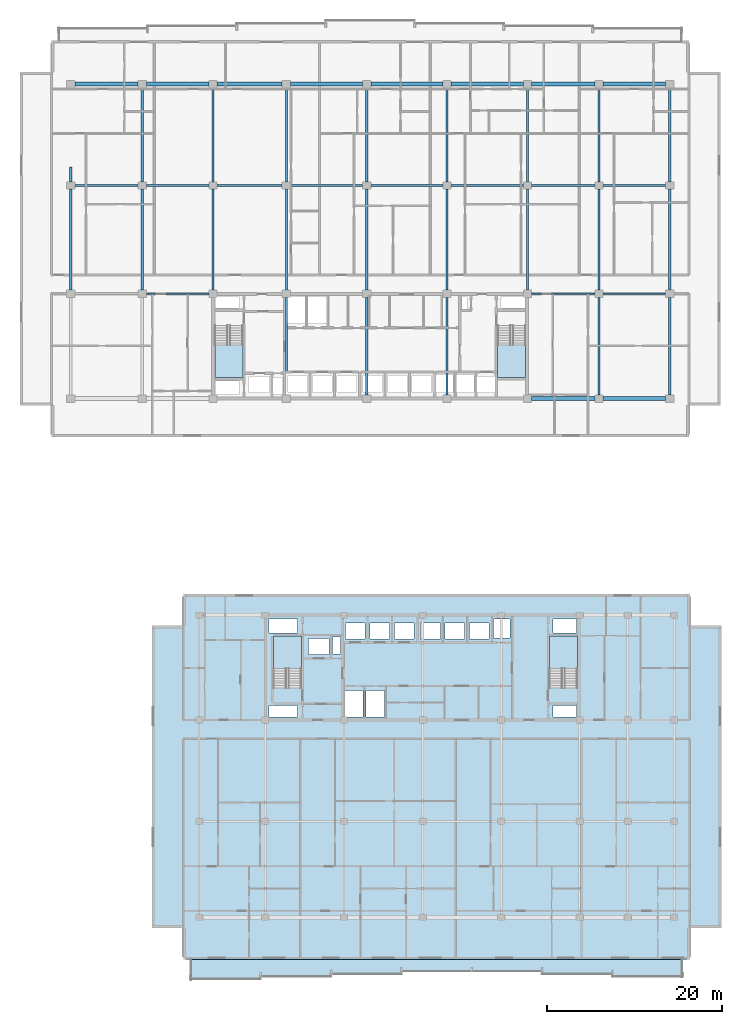
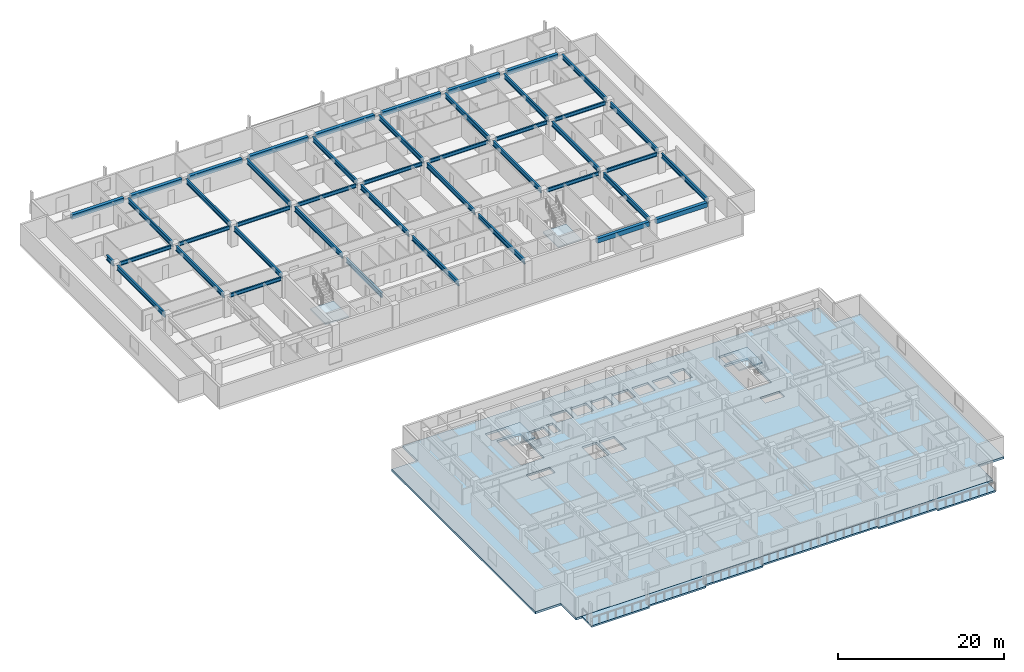
# One storey, part 2 of 22: 44 beams, 6 slabs, 4 elements without a shape of their own.
"""IFC4 building model written with IfcOpenShell, lengths in metres."""

from ifc_helpers import new_model, si_unit, direction, frame, origin, origin_2d, place, context, subcontext, project, spatial, polyline, rectangle, i_section, outline, extrude, material, layer, layer_set, material_profile, profile_set, type_object, element, aggregate, save


model = new_model("IFC4")

# Units and contexts
model_context = context("Model", 3, precision=1e-05, world=origin(), true_north=direction((0.0, 1.0)))
body_context = subcontext(model_context, "Body", "Model", "MODEL_VIEW")
ifc_project = project(units=[si_unit("LENGTHUNIT", "METRE"), si_unit("AREAUNIT", "SQUARE_METRE"), si_unit("VOLUMEUNIT", "CUBIC_METRE"), si_unit("PLANEANGLEUNIT", "RADIAN"), si_unit("MASSUNIT", "GRAM", prefix="KILO")], contexts=[model_context])

# Site, building, storey
site_placement = place(None, origin())
site = spatial("IfcSite", under=ifc_project, at=site_placement, CompositionType="ELEMENT")
building_placement = place(site_placement, origin())
building = spatial("IfcBuilding", under=site, at=building_placement, Name="Korimba Cascade Residences", CompositionType="ELEMENT")
storey_placement = place(building_placement, frame((0.0, 0.0, 80.800048828125)))
storey = spatial("IfcBuildingStorey", under=building, at=storey_placement, Name="L22", CompositionType="ELEMENT", Elevation=80.800048828125)

# Beams
ifc_material_1 = material(Name="Precast concrete C40/50", Category="concrete")
ifc_material_profile_1 = material_profile(ifc_material_1, rectangle(XDim=0.449951171875, YDim=0.64990234375, at=origin_2d()), Name="Precast concrete C40/50")
ifc_profile_set_1 = profile_set([ifc_material_profile_1], Name="Precast concrete C40/50")
beam_type_1 = type_object("IfcBeamType", Name="BM-RC-SP650", PredefinedType="SPANDREL", material=ifc_profile_set_1)
beam_1_placement = place(storey_placement, frame((112.574951171875, 55.199951171875, 2.64501953125), z_axis=(1.0, 0.0, 0.0), x_axis=(0.0, 1.0, 0.0)))
element("IfcBeam", 1, at=beam_1_placement, inside=storey, type_object=beam_type_1, Name="L22 T1 E-W Girder Y1 Bay 7", PredefinedType="SPANDREL", context=body_context, shape_type="SweptSolid", body=[
    extrude(rectangle(XDim=0.449951171875, YDim=0.64990234375, at=origin_2d()), origin(), (0.0, 0.0, 1.0), 7.25),
])
beam_2_placement = place(storey_placement, frame((120.77490234375, 55.199951171875, 2.64501953125), z_axis=(1.0, 0.0, 0.0), x_axis=(0.0, 1.0, 0.0)))
element("IfcBeam", 2, at=beam_2_placement, inside=storey, type_object=beam_type_1, Name="L22 T1 E-W Girder Y1 Bay 8", PredefinedType="SPANDREL", context=body_context, shape_type="SweptSolid", body=[
    extrude(rectangle(XDim=0.449951171875, YDim=0.64990234375, at=origin_2d()), origin(), (0.0, 0.0, 1.0), 7.150146484375),
])
beam_3_placement = place(storey_placement, frame((60.27490234375, 91.199951171875, 2.64501953125), z_axis=(1.0, 0.0, 0.0), x_axis=(0.0, 1.0, 0.0)))
element("IfcBeam", 3, at=beam_3_placement, inside=storey, type_object=beam_type_1, Name="L22 T1 E-W Girder Y4 Bay 1", PredefinedType="SPANDREL", context=body_context, shape_type="SweptSolid", body=[
    extrude(rectangle(XDim=0.449951171875, YDim=0.64990234375, at=origin_2d()), origin(), (0.0, 0.0, 1.0), 7.25),
])
beam_4_placement = place(storey_placement, frame((68.47509765625, 91.199951171875, 2.64501953125), z_axis=(1.0, 0.0, 0.0), x_axis=(0.0, 1.0, 0.0)))
element("IfcBeam", 4, at=beam_4_placement, inside=storey, type_object=beam_type_1, Name="L22 T1 E-W Girder Y4 Bay 2", PredefinedType="SPANDREL", context=body_context, shape_type="SweptSolid", body=[
    extrude(rectangle(XDim=0.449951171875, YDim=0.64990234375, at=origin_2d()), origin(), (0.0, 0.0, 1.0), 7.14990234375),
])
beam_5_placement = place(storey_placement, frame((76.574951171875, 91.199951171875, 2.64501953125), z_axis=(1.0, 0.0, 0.0), x_axis=(0.0, 1.0, 0.0)))
element("IfcBeam", 5, at=beam_5_placement, inside=storey, type_object=beam_type_1, Name="L22 T1 E-W Girder Y4 Bay 3", PredefinedType="SPANDREL", context=body_context, shape_type="SweptSolid", body=[
    extrude(rectangle(XDim=0.449951171875, YDim=0.64990234375, at=origin_2d()), origin(), (0.0, 0.0, 1.0), 7.449951171875),
])
for number, where, z_axis, x_axis, name in (
    (6, (84.97509765625, 91.199951171875, 2.64501953125), (1.0, 0.0, 0.0), (0.0, 1.0, 0.0), "L22 T1 E-W Girder Y4 Bay 4"),
    (7, (94.175048828125, 91.199951171875, 2.64501953125), (1.0, 0.0, 0.0), (0.0, 1.0, 0.0), "L22 T1 E-W Girder Y4 Bay 5"),
    (8, (103.375, 91.199951171875, 2.64501953125), (1.0, 0.0, 0.0), (0.0, 1.0, 0.0), "L22 T1 E-W Girder Y4 Bay 6"),
):
    element("IfcBeam", number, at=place(storey_placement, frame(where, z_axis=z_axis, x_axis=x_axis)), inside=storey, type_object=beam_type_1, Name=name, PredefinedType="SPANDREL", context=body_context, shape_type="SweptSolid", body=[
        extrude(rectangle(XDim=0.449951171875, YDim=0.64990234375, at=origin_2d()), origin(), (0.0, 0.0, 1.0), 8.25),
    ])
beam_6_placement = place(storey_placement, frame((112.574951171875, 91.199951171875, 2.64501953125), z_axis=(1.0, 0.0, 0.0), x_axis=(0.0, 1.0, 0.0)))
element("IfcBeam", 9, at=beam_6_placement, inside=storey, type_object=beam_type_1, Name="L22 T1 E-W Girder Y4 Bay 7", PredefinedType="SPANDREL", context=body_context, shape_type="SweptSolid", body=[
    extrude(rectangle(XDim=0.449951171875, YDim=0.64990234375, at=origin_2d()), origin(), (0.0, 0.0, 1.0), 7.25),
])
beam_7_placement = place(storey_placement, frame((120.77490234375, 91.199951171875, 2.64501953125), z_axis=(1.0, 0.0, 0.0), x_axis=(0.0, 1.0, 0.0)))
element("IfcBeam", 10, at=beam_7_placement, inside=storey, type_object=beam_type_1, Name="L22 T1 E-W Girder Y4 Bay 8", PredefinedType="SPANDREL", context=body_context, shape_type="SweptSolid", body=[
    extrude(rectangle(XDim=0.449951171875, YDim=0.64990234375, at=origin_2d()), origin(), (0.0, 0.0, 1.0), 7.150146484375),
])
ifc_material_2 = material(Name="Steel S355", Category="steel")
ifc_material_profile_2 = material_profile(ifc_material_2, i_section(OverallWidth=0.2099609375, OverallDepth=0.53662109375, WebThickness=0.0107421875, FlangeThickness=0.017333984375, FilletRadius=0.0126953125, at=origin_2d()), Name="Steel S355")
ifc_profile_set_2 = profile_set([ifc_material_profile_2], Name="Steel S355")
beam_type_2 = type_object("IfcBeamType", Name="BM-STL-UB533", PredefinedType="BEAM", material=ifc_profile_set_2)
beam_8_placement = place(storey_placement, frame((68.47509765625, 67.199951171875, 2.70166015625), z_axis=(1.0, 0.0, 0.0), x_axis=(0.0, 1.0, 0.0)))
element("IfcBeam", 11, at=beam_8_placement, inside=storey, type_object=beam_type_2, Name="L22 T1 E-W Girder Y2 Bay 2", PredefinedType="BEAM", context=body_context, shape_type="SweptSolid", body=[
    extrude(i_section(OverallWidth=0.2099609375, OverallDepth=0.53662109375, WebThickness=0.0107421875, FlangeThickness=0.017333984375, FilletRadius=0.0126953125, at=origin_2d()), origin(), (0.0, 0.0, 1.0), 7.14990234375),
])
beam_9_placement = place(storey_placement, frame((112.574951171875, 67.199951171875, 2.70166015625), z_axis=(1.0, 0.0, 0.0), x_axis=(0.0, 1.0, 0.0)))
element("IfcBeam", 12, at=beam_9_placement, inside=storey, type_object=beam_type_2, Name="L22 T1 E-W Girder Y2 Bay 7", PredefinedType="BEAM", context=body_context, shape_type="SweptSolid", body=[
    extrude(i_section(OverallWidth=0.2099609375, OverallDepth=0.53662109375, WebThickness=0.0107421875, FlangeThickness=0.017333984375, FilletRadius=0.0126953125, at=origin_2d()), origin(), (0.0, 0.0, 1.0), 7.25),
])
beam_10_placement = place(storey_placement, frame((120.77490234375, 67.199951171875, 2.70166015625), z_axis=(1.0, 0.0, 0.0), x_axis=(0.0, 1.0, 0.0)))
element("IfcBeam", 13, at=beam_10_placement, inside=storey, type_object=beam_type_2, Name="L22 T1 E-W Girder Y2 Bay 8", PredefinedType="BEAM", context=body_context, shape_type="SweptSolid", body=[
    extrude(i_section(OverallWidth=0.2099609375, OverallDepth=0.53662109375, WebThickness=0.0107421875, FlangeThickness=0.017333984375, FilletRadius=0.0126953125, at=origin_2d()), origin(), (0.0, 0.0, 1.0), 7.150146484375),
])
beam_11_placement = place(storey_placement, frame((60.27490234375, 79.60009765625, 2.70166015625), z_axis=(1.0, 0.0, 0.0), x_axis=(0.0, 1.0, 0.0)))
element("IfcBeam", 14, at=beam_11_placement, inside=storey, type_object=beam_type_2, Name="L22 T1 E-W Girder Y3 Bay 1", PredefinedType="BEAM", context=body_context, shape_type="SweptSolid", body=[
    extrude(i_section(OverallWidth=0.2099609375, OverallDepth=0.53662109375, WebThickness=0.0107421875, FlangeThickness=0.017333984375, FilletRadius=0.0126953125, at=origin_2d()), origin(), (0.0, 0.0, 1.0), 7.25),
])
beam_12_placement = place(storey_placement, frame((68.47509765625, 79.60009765625, 2.70166015625), z_axis=(1.0, 0.0, 0.0), x_axis=(0.0, 1.0, 0.0)))
element("IfcBeam", 15, at=beam_12_placement, inside=storey, type_object=beam_type_2, Name="L22 T1 E-W Girder Y3 Bay 2", PredefinedType="BEAM", context=body_context, shape_type="SweptSolid", body=[
    extrude(i_section(OverallWidth=0.2099609375, OverallDepth=0.53662109375, WebThickness=0.0107421875, FlangeThickness=0.017333984375, FilletRadius=0.0126953125, at=origin_2d()), origin(), (0.0, 0.0, 1.0), 7.14990234375),
])
beam_13_placement = place(storey_placement, frame((76.574951171875, 79.60009765625, 2.70166015625), z_axis=(1.0, 0.0, 0.0), x_axis=(0.0, 1.0, 0.0)))
element("IfcBeam", 16, at=beam_13_placement, inside=storey, type_object=beam_type_2, Name="L22 T1 E-W Girder Y3 Bay 3", PredefinedType="BEAM", context=body_context, shape_type="SweptSolid", body=[
    extrude(i_section(OverallWidth=0.2099609375, OverallDepth=0.53662109375, WebThickness=0.0107421875, FlangeThickness=0.017333984375, FilletRadius=0.0126953125, at=origin_2d()), origin(), (0.0, 0.0, 1.0), 7.449951171875),
])
for number, where, z_axis, x_axis, name in (
    (17, (84.97509765625, 79.60009765625, 2.70166015625), (1.0, 0.0, 0.0), (0.0, 1.0, 0.0), "L22 T1 E-W Girder Y3 Bay 4"),
    (18, (94.175048828125, 79.60009765625, 2.70166015625), (1.0, 0.0, 0.0), (0.0, 1.0, 0.0), "L22 T1 E-W Girder Y3 Bay 5"),
    (19, (103.375, 79.60009765625, 2.70166015625), (1.0, 0.0, 0.0), (0.0, 1.0, 0.0), "L22 T1 E-W Girder Y3 Bay 6"),
):
    element("IfcBeam", number, at=place(storey_placement, frame(where, z_axis=z_axis, x_axis=x_axis)), inside=storey, type_object=beam_type_2, Name=name, PredefinedType="BEAM", context=body_context, shape_type="SweptSolid", body=[
        extrude(i_section(OverallWidth=0.2099609375, OverallDepth=0.53662109375, WebThickness=0.0107421875, FlangeThickness=0.017333984375, FilletRadius=0.0126953125, at=origin_2d()), origin(), (0.0, 0.0, 1.0), 8.25),
    ])
beam_14_placement = place(storey_placement, frame((112.574951171875, 79.60009765625, 2.70166015625), z_axis=(1.0, 0.0, 0.0), x_axis=(0.0, 1.0, 0.0)))
element("IfcBeam", 20, at=beam_14_placement, inside=storey, type_object=beam_type_2, Name="L22 T1 E-W Girder Y3 Bay 7", PredefinedType="BEAM", context=body_context, shape_type="SweptSolid", body=[
    extrude(i_section(OverallWidth=0.2099609375, OverallDepth=0.53662109375, WebThickness=0.0107421875, FlangeThickness=0.017333984375, FilletRadius=0.0126953125, at=origin_2d()), origin(), (0.0, 0.0, 1.0), 7.25),
])
beam_15_placement = place(storey_placement, frame((120.77490234375, 79.60009765625, 2.70166015625), z_axis=(1.0, 0.0, 0.0), x_axis=(0.0, 1.0, 0.0)))
element("IfcBeam", 21, at=beam_15_placement, inside=storey, type_object=beam_type_2, Name="L22 T1 E-W Girder Y3 Bay 8", PredefinedType="BEAM", context=body_context, shape_type="SweptSolid", body=[
    extrude(i_section(OverallWidth=0.2099609375, OverallDepth=0.53662109375, WebThickness=0.0107421875, FlangeThickness=0.017333984375, FilletRadius=0.0126953125, at=origin_2d()), origin(), (0.0, 0.0, 1.0), 7.150146484375),
])
ifc_material_profile_3 = material_profile(ifc_material_2, i_section(OverallWidth=0.255859375, OverallDepth=0.69287109375, WebThickness=0.014404296875, FlangeThickness=0.023681640625, FilletRadius=0.01513671875, at=origin_2d()), Name="Steel S355")
ifc_profile_set_3 = profile_set([ifc_material_profile_3], Name="Steel S355")
beam_type_3 = type_object("IfcBeamType", Name="BM-STL-UB686", PredefinedType="BEAM", material=ifc_profile_set_3)
beam_16_placement = place(storey_placement, frame((59.800048828125, 67.625, 2.62353515625), z_axis=(0.0, 1.0, 0.0), x_axis=(-1.0, 0.0, 0.0)))
element("IfcBeam", 22, at=beam_16_placement, inside=storey, type_object=beam_type_3, Name="L22 T1 N-S Girder X1 Seg 2", PredefinedType="BEAM", context=body_context, shape_type="SweptSolid", body=[
    extrude(i_section(OverallWidth=0.255859375, OverallDepth=0.69287109375, WebThickness=0.014404296875, FlangeThickness=0.023681640625, FilletRadius=0.01513671875, at=origin_2d()), origin(), (0.0, 0.0, 1.0), 11.550048828125),
])
beam_17_placement = place(storey_placement, frame((59.800048828125, 80.02490234375, 2.62353515625), z_axis=(0.0, 1.0, 0.0), x_axis=(-1.0, 0.0, 0.0)))
element("IfcBeam", 23, at=beam_17_placement, inside=storey, type_object=beam_type_3, Name="L22 T1 N-S Girder X1 Seg 3", PredefinedType="BEAM", context=body_context, shape_type="SweptSolid", body=[
    extrude(i_section(OverallWidth=0.255859375, OverallDepth=0.69287109375, WebThickness=0.014404296875, FlangeThickness=0.023681640625, FilletRadius=0.01513671875, at=origin_2d()), origin(), (0.0, 0.0, 1.0), 1.675048828125),
])
beam_18_placement = place(storey_placement, frame((68.0, 67.625, 2.62353515625), z_axis=(0.0, 1.0, 0.0), x_axis=(-1.0, 0.0, 0.0)))
element("IfcBeam", 24, at=beam_18_placement, inside=storey, type_object=beam_type_3, Name="L22 T1 N-S Girder X2 Seg 2", PredefinedType="BEAM", context=body_context, shape_type="SweptSolid", body=[
    extrude(i_section(OverallWidth=0.255859375, OverallDepth=0.69287109375, WebThickness=0.014404296875, FlangeThickness=0.023681640625, FilletRadius=0.01513671875, at=origin_2d()), origin(), (0.0, 0.0, 1.0), 11.550048828125),
])
beam_19_placement = place(storey_placement, frame((68.0, 80.02490234375, 2.62353515625), z_axis=(0.0, 1.0, 0.0), x_axis=(-1.0, 0.0, 0.0)))
element("IfcBeam", 25, at=beam_19_placement, inside=storey, type_object=beam_type_3, Name="L22 T1 N-S Girder X2 Seg 3", PredefinedType="BEAM", context=body_context, shape_type="SweptSolid", body=[
    extrude(i_section(OverallWidth=0.255859375, OverallDepth=0.69287109375, WebThickness=0.014404296875, FlangeThickness=0.023681640625, FilletRadius=0.01513671875, at=origin_2d()), origin(), (0.0, 0.0, 1.0), 10.75),
])
beam_20_placement = place(storey_placement, frame((76.10009765625, 67.625, 2.62353515625), z_axis=(0.0, 1.0, 0.0), x_axis=(-1.0, 0.0, 0.0)))
element("IfcBeam", 26, at=beam_20_placement, inside=storey, type_object=beam_type_3, Name="L22 T1 N-S Girder X3 Seg 2", PredefinedType="BEAM", context=body_context, shape_type="SweptSolid", body=[
    extrude(i_section(OverallWidth=0.255859375, OverallDepth=0.69287109375, WebThickness=0.014404296875, FlangeThickness=0.023681640625, FilletRadius=0.01513671875, at=origin_2d()), origin(), (0.0, 0.0, 1.0), 11.550048828125),
])
beam_21_placement = place(storey_placement, frame((76.10009765625, 80.02490234375, 2.62353515625), z_axis=(0.0, 1.0, 0.0), x_axis=(-1.0, 0.0, 0.0)))
element("IfcBeam", 27, at=beam_21_placement, inside=storey, type_object=beam_type_3, Name="L22 T1 N-S Girder X3 Seg 3", PredefinedType="BEAM", context=body_context, shape_type="SweptSolid", body=[
    extrude(i_section(OverallWidth=0.255859375, OverallDepth=0.69287109375, WebThickness=0.014404296875, FlangeThickness=0.023681640625, FilletRadius=0.01513671875, at=origin_2d()), origin(), (0.0, 0.0, 1.0), 10.75),
])
beam_22_placement = place(storey_placement, frame((84.5, 58.159912109375, 2.62353515625), z_axis=(0.0, 1.0, 0.0), x_axis=(-1.0, 0.0, 0.0)))
element("IfcBeam", 28, at=beam_22_placement, inside=storey, type_object=beam_type_3, Name="L22 T1 N-S Girder X4 Seg 1", PredefinedType="BEAM", context=body_context, shape_type="SweptSolid", body=[
    extrude(i_section(OverallWidth=0.255859375, OverallDepth=0.69287109375, WebThickness=0.014404296875, FlangeThickness=0.023681640625, FilletRadius=0.01513671875, at=origin_2d()), origin(), (0.0, 0.0, 1.0), 8.614990234375),
])
beam_23_placement = place(storey_placement, frame((84.5, 67.625, 2.62353515625), z_axis=(0.0, 1.0, 0.0), x_axis=(-1.0, 0.0, 0.0)))
element("IfcBeam", 29, at=beam_23_placement, inside=storey, type_object=beam_type_3, Name="L22 T1 N-S Girder X4 Seg 2", PredefinedType="BEAM", context=body_context, shape_type="SweptSolid", body=[
    extrude(i_section(OverallWidth=0.255859375, OverallDepth=0.69287109375, WebThickness=0.014404296875, FlangeThickness=0.023681640625, FilletRadius=0.01513671875, at=origin_2d()), origin(), (0.0, 0.0, 1.0), 11.550048828125),
])
beam_24_placement = place(storey_placement, frame((84.5, 80.02490234375, 2.62353515625), z_axis=(0.0, 1.0, 0.0), x_axis=(-1.0, 0.0, 0.0)))
element("IfcBeam", 30, at=beam_24_placement, inside=storey, type_object=beam_type_3, Name="L22 T1 N-S Girder X4 Seg 3", PredefinedType="BEAM", context=body_context, shape_type="SweptSolid", body=[
    extrude(i_section(OverallWidth=0.255859375, OverallDepth=0.69287109375, WebThickness=0.014404296875, FlangeThickness=0.023681640625, FilletRadius=0.01513671875, at=origin_2d()), origin(), (0.0, 0.0, 1.0), 10.75),
])
beam_25_placement = place(storey_placement, frame((93.699951171875, 55.625, 2.62353515625), z_axis=(0.0, 1.0, 0.0), x_axis=(-1.0, 0.0, 0.0)))
element("IfcBeam", 31, at=beam_25_placement, inside=storey, type_object=beam_type_3, Name="L22 T1 N-S Girder X5 Seg 1", PredefinedType="BEAM", context=body_context, shape_type="SweptSolid", body=[
    extrude(i_section(OverallWidth=0.255859375, OverallDepth=0.69287109375, WebThickness=0.014404296875, FlangeThickness=0.023681640625, FilletRadius=0.01513671875, at=origin_2d()), origin(), (0.0, 0.0, 1.0), 11.14990234375),
])
beam_26_placement = place(storey_placement, frame((93.699951171875, 67.625, 2.62353515625), z_axis=(0.0, 1.0, 0.0), x_axis=(-1.0, 0.0, 0.0)))
element("IfcBeam", 32, at=beam_26_placement, inside=storey, type_object=beam_type_3, Name="L22 T1 N-S Girder X5 Seg 2", PredefinedType="BEAM", context=body_context, shape_type="SweptSolid", body=[
    extrude(i_section(OverallWidth=0.255859375, OverallDepth=0.69287109375, WebThickness=0.014404296875, FlangeThickness=0.023681640625, FilletRadius=0.01513671875, at=origin_2d()), origin(), (0.0, 0.0, 1.0), 11.550048828125),
])
beam_27_placement = place(storey_placement, frame((93.699951171875, 80.02490234375, 2.62353515625), z_axis=(0.0, 1.0, 0.0), x_axis=(-1.0, 0.0, 0.0)))
element("IfcBeam", 33, at=beam_27_placement, inside=storey, type_object=beam_type_3, Name="L22 T1 N-S Girder X5 Seg 3", PredefinedType="BEAM", context=body_context, shape_type="SweptSolid", body=[
    extrude(i_section(OverallWidth=0.255859375, OverallDepth=0.69287109375, WebThickness=0.014404296875, FlangeThickness=0.023681640625, FilletRadius=0.01513671875, at=origin_2d()), origin(), (0.0, 0.0, 1.0), 10.75),
])
beam_28_placement = place(storey_placement, frame((102.89990234375, 55.625, 2.62353515625), z_axis=(0.0, 1.0, 0.0), x_axis=(-1.0, 0.0, 0.0)))
element("IfcBeam", 34, at=beam_28_placement, inside=storey, type_object=beam_type_3, Name="L22 T1 N-S Girder X6 Seg 1", PredefinedType="BEAM", context=body_context, shape_type="SweptSolid", body=[
    extrude(i_section(OverallWidth=0.255859375, OverallDepth=0.69287109375, WebThickness=0.014404296875, FlangeThickness=0.023681640625, FilletRadius=0.01513671875, at=origin_2d()), origin(), (0.0, 0.0, 1.0), 11.14990234375),
])
beam_29_placement = place(storey_placement, frame((102.89990234375, 67.625, 2.62353515625), z_axis=(0.0, 1.0, 0.0), x_axis=(-1.0, 0.0, 0.0)))
element("IfcBeam", 35, at=beam_29_placement, inside=storey, type_object=beam_type_3, Name="L22 T1 N-S Girder X6 Seg 2", PredefinedType="BEAM", context=body_context, shape_type="SweptSolid", body=[
    extrude(i_section(OverallWidth=0.255859375, OverallDepth=0.69287109375, WebThickness=0.014404296875, FlangeThickness=0.023681640625, FilletRadius=0.01513671875, at=origin_2d()), origin(), (0.0, 0.0, 1.0), 11.550048828125),
])
beam_30_placement = place(storey_placement, frame((102.89990234375, 80.02490234375, 2.62353515625), z_axis=(0.0, 1.0, 0.0), x_axis=(-1.0, 0.0, 0.0)))
element("IfcBeam", 36, at=beam_30_placement, inside=storey, type_object=beam_type_3, Name="L22 T1 N-S Girder X6 Seg 3", PredefinedType="BEAM", context=body_context, shape_type="SweptSolid", body=[
    extrude(i_section(OverallWidth=0.255859375, OverallDepth=0.69287109375, WebThickness=0.014404296875, FlangeThickness=0.023681640625, FilletRadius=0.01513671875, at=origin_2d()), origin(), (0.0, 0.0, 1.0), 10.75),
])
beam_31_placement = place(storey_placement, frame((112.10009765625, 67.625, 2.62353515625), z_axis=(0.0, 1.0, 0.0), x_axis=(-1.0, 0.0, 0.0)))
element("IfcBeam", 37, at=beam_31_placement, inside=storey, type_object=beam_type_3, Name="L22 T1 N-S Girder X7 Seg 2", PredefinedType="BEAM", context=body_context, shape_type="SweptSolid", body=[
    extrude(i_section(OverallWidth=0.255859375, OverallDepth=0.69287109375, WebThickness=0.014404296875, FlangeThickness=0.023681640625, FilletRadius=0.01513671875, at=origin_2d()), origin(), (0.0, 0.0, 1.0), 11.550048828125),
])
beam_32_placement = place(storey_placement, frame((112.10009765625, 80.02490234375, 2.62353515625), z_axis=(0.0, 1.0, 0.0), x_axis=(-1.0, 0.0, 0.0)))
element("IfcBeam", 38, at=beam_32_placement, inside=storey, type_object=beam_type_3, Name="L22 T1 N-S Girder X7 Seg 3", PredefinedType="BEAM", context=body_context, shape_type="SweptSolid", body=[
    extrude(i_section(OverallWidth=0.255859375, OverallDepth=0.69287109375, WebThickness=0.014404296875, FlangeThickness=0.023681640625, FilletRadius=0.01513671875, at=origin_2d()), origin(), (0.0, 0.0, 1.0), 10.75),
])
beam_33_placement = place(storey_placement, frame((120.300048828125, 55.625, 2.62353515625), z_axis=(0.0, 1.0, 0.0), x_axis=(-1.0, 0.0, 0.0)))
element("IfcBeam", 39, at=beam_33_placement, inside=storey, type_object=beam_type_3, Name="L22 T1 N-S Girder X8 Seg 1", PredefinedType="BEAM", context=body_context, shape_type="SweptSolid", body=[
    extrude(i_section(OverallWidth=0.255859375, OverallDepth=0.69287109375, WebThickness=0.014404296875, FlangeThickness=0.023681640625, FilletRadius=0.01513671875, at=origin_2d()), origin(), (0.0, 0.0, 1.0), 11.14990234375),
])
beam_34_placement = place(storey_placement, frame((120.300048828125, 67.625, 2.62353515625), z_axis=(0.0, 1.0, 0.0), x_axis=(-1.0, 0.0, 0.0)))
element("IfcBeam", 40, at=beam_34_placement, inside=storey, type_object=beam_type_3, Name="L22 T1 N-S Girder X8 Seg 2", PredefinedType="BEAM", context=body_context, shape_type="SweptSolid", body=[
    extrude(i_section(OverallWidth=0.255859375, OverallDepth=0.69287109375, WebThickness=0.014404296875, FlangeThickness=0.023681640625, FilletRadius=0.01513671875, at=origin_2d()), origin(), (0.0, 0.0, 1.0), 11.550048828125),
])
beam_35_placement = place(storey_placement, frame((120.300048828125, 80.02490234375, 2.62353515625), z_axis=(0.0, 1.0, 0.0), x_axis=(-1.0, 0.0, 0.0)))
element("IfcBeam", 41, at=beam_35_placement, inside=storey, type_object=beam_type_3, Name="L22 T1 N-S Girder X8 Seg 3", PredefinedType="BEAM", context=body_context, shape_type="SweptSolid", body=[
    extrude(i_section(OverallWidth=0.255859375, OverallDepth=0.69287109375, WebThickness=0.014404296875, FlangeThickness=0.023681640625, FilletRadius=0.01513671875, at=origin_2d()), origin(), (0.0, 0.0, 1.0), 10.75),
])
beam_36_placement = place(storey_placement, frame((128.39990234375, 55.625, 2.62353515625), z_axis=(0.0, 1.0, 0.0), x_axis=(-1.0, 0.0, 0.0)))
element("IfcBeam", 42, at=beam_36_placement, inside=storey, type_object=beam_type_3, Name="L22 T1 N-S Girder X9 Seg 1", PredefinedType="BEAM", context=body_context, shape_type="SweptSolid", body=[
    extrude(i_section(OverallWidth=0.255859375, OverallDepth=0.69287109375, WebThickness=0.014404296875, FlangeThickness=0.023681640625, FilletRadius=0.01513671875, at=origin_2d()), origin(), (0.0, 0.0, 1.0), 11.14990234375),
])
beam_37_placement = place(storey_placement, frame((128.39990234375, 67.625, 2.62353515625), z_axis=(0.0, 1.0, 0.0), x_axis=(-1.0, 0.0, 0.0)))
element("IfcBeam", 43, at=beam_37_placement, inside=storey, type_object=beam_type_3, Name="L22 T1 N-S Girder X9 Seg 2", PredefinedType="BEAM", context=body_context, shape_type="SweptSolid", body=[
    extrude(i_section(OverallWidth=0.255859375, OverallDepth=0.69287109375, WebThickness=0.014404296875, FlangeThickness=0.023681640625, FilletRadius=0.01513671875, at=origin_2d()), origin(), (0.0, 0.0, 1.0), 11.550048828125),
])
beam_38_placement = place(storey_placement, frame((128.39990234375, 80.02490234375, 2.62353515625), z_axis=(0.0, 1.0, 0.0), x_axis=(-1.0, 0.0, 0.0)))
element("IfcBeam", 44, at=beam_38_placement, inside=storey, type_object=beam_type_3, Name="L22 T1 N-S Girder X9 Seg 3", PredefinedType="BEAM", context=body_context, shape_type="SweptSolid", body=[
    extrude(i_section(OverallWidth=0.255859375, OverallDepth=0.69287109375, WebThickness=0.014404296875, FlangeThickness=0.023681640625, FilletRadius=0.01513671875, at=origin_2d()), origin(), (0.0, 0.0, 1.0), 10.75),
])

# Stair, slab
ifc_material_3 = material(Name="Concrete C50/60", Category="concrete")
stair_type_1 = type_object("IfcStairType", Name="STR-W1-18R-1806", PredefinedType="HALF_TURN_STAIR", material=ifc_material_3)
stair_1_placement = place(storey_placement, origin())
stair_1 = element("IfcStair", 45, at=stair_1_placement, inside=storey, type_object=stair_type_1, Name="L22 Tower 1 West Fire Stair ST-W1", PredefinedType="HALF_TURN_STAIR")
ifc_layer_1 = layer(ifc_material_3, 0.199951171875)
ifc_layer_set_1 = layer_set([ifc_layer_1], Name="Concrete C50/60")
slab_type_1 = type_object("IfcSlabType", Name="SLB-LND-220", PredefinedType="LANDING", material=ifc_layer_set_1)
slab_1_placement = place(storey_placement, frame((0.0, 0.0, 1.425048828125)))
slab_1 = element("IfcSlab", 46, at=slab_1_placement, type_object=slab_type_1, Name="ST-W1 landing 1", PredefinedType="LANDING", context=body_context, shape_type="SweptSolid", body=[
    extrude(outline(polyline([(76.300048828125, 61.31005859375), (76.300048828125, 57.60009765625), (79.5400390625, 57.60009765625), (79.5400390625, 61.31005859375), (76.300048828125, 61.31005859375)])), origin(), (0.0, 0.0, 1.0), 0.199951171875),
])
aggregate(stair_1, [slab_1])

stair_type_2 = type_object("IfcStairType", Name="STR-W2-18R-1806", PredefinedType="HALF_TURN_STAIR", material=ifc_material_3)
stair_2_placement = place(storey_placement, origin())
stair_2 = element("IfcStair", 47, at=stair_2_placement, inside=storey, type_object=stair_type_2, Name="L22 Tower 1 East Fire Stair ST-W2", PredefinedType="HALF_TURN_STAIR")
slab_2_placement = place(storey_placement, frame((0.0, 0.0, 1.425048828125)))
slab_2 = element("IfcSlab", 48, at=slab_2_placement, type_object=slab_type_1, Name="ST-W2 landing 1", PredefinedType="LANDING", context=body_context, shape_type="SweptSolid", body=[
    extrude(outline(polyline([(108.659912109375, 61.31005859375), (108.659912109375, 57.60009765625), (111.89990234375, 57.60009765625), (111.89990234375, 61.31005859375), (108.659912109375, 61.31005859375)])), origin(), (0.0, 0.0, 1.0), 0.199951171875),
])
aggregate(stair_2, [slab_2])

stair_type_3 = type_object("IfcStairType", Name="STR-E1-18R-1806", PredefinedType="HALF_TURN_STAIR", material=ifc_material_3)
stair_3_placement = place(storey_placement, origin())
stair_3 = element("IfcStair", 49, at=stair_3_placement, inside=storey, type_object=stair_type_3, Name="L22 Tower 2 West Fire Stair ST-E1", PredefinedType="HALF_TURN_STAIR")
slab_3_placement = place(storey_placement, frame((0.0, 0.0, 1.425048828125)))
slab_3 = element("IfcSlab", 50, at=slab_3_placement, type_object=slab_type_1, Name="ST-E1 landing 1", PredefinedType="LANDING", context=body_context, shape_type="SweptSolid", body=[
    extrude(outline(polyline([(86.239990234375, 24.2900390625), (86.239990234375, 28.0), (83.0, 28.0), (83.0, 24.2900390625), (86.239990234375, 24.2900390625)])), origin(), (0.0, 0.0, 1.0), 0.199951171875),
])
aggregate(stair_3, [slab_3])

stair_type_4 = type_object("IfcStairType", Name="STR-E2-18R-1806", PredefinedType="HALF_TURN_STAIR", material=ifc_material_3)
stair_4_placement = place(storey_placement, origin())
stair_4 = element("IfcStair", 51, at=stair_4_placement, inside=storey, type_object=stair_type_4, Name="L22 Tower 2 East Fire Stair ST-E2", PredefinedType="HALF_TURN_STAIR")
slab_4_placement = place(storey_placement, frame((0.0, 0.0, 1.425048828125)))
slab_4 = element("IfcSlab", 52, at=slab_4_placement, type_object=slab_type_1, Name="ST-E2 landing 1", PredefinedType="LANDING", context=body_context, shape_type="SweptSolid", body=[
    extrude(outline(polyline([(117.840087890625, 24.2900390625), (117.840087890625, 28.0), (114.60009765625, 28.0), (114.60009765625, 24.2900390625), (117.840087890625, 24.2900390625)])), origin(), (0.0, 0.0, 1.0), 0.199951171875),
])
aggregate(stair_4, [slab_4])

# Slabs
ifc_layer_2 = layer(ifc_material_1, 0.239990234375)
ifc_layer_set_2 = layer_set([ifc_layer_2], Name="Precast concrete C40/50")
slab_type_2 = type_object("IfcSlabType", Name="SLB-LOG-240", PredefinedType="FLOOR", material=ifc_layer_set_2)
slab_5_placement = place(storey_placement, frame((0.0, 0.0, -0.239990234375)))
element("IfcSlab", 53, at=slab_5_placement, inside=storey, type_object=slab_type_2, Name="L22 Tower 2 South Loggia Slab", PredefinedType="FLOOR", context=body_context, shape_type="SweptSolid", body=[
    extrude(outline(polyline([(73.5, -11.35009765625), (81.55712890625, -11.35009765625), (81.55712890625, -11.050048828125), (89.6142578125, -11.050048828125), (89.6142578125, -10.75), (97.67138671875, -10.75), (97.67138671875, -10.449951171875), (113.78564453125, -10.449951171875), (113.78564453125, -10.75), (121.843017578125, -10.75), (121.843017578125, -11.050048828125), (129.89990234375, -11.050048828125), (129.89990234375, -9.0), (73.5, -9.0), (73.5, -11.35009765625)])), origin(), (0.0, 0.0, 1.0), 0.239990234375),
])
ifc_material_4 = material(Name="Concrete C65/80", Category="concrete")
ifc_layer_3 = layer(ifc_material_4, 0.320068359375)
ifc_layer_set_3 = layer_set([ifc_layer_3], Name="Concrete C65/80")
slab_type_3 = type_object("IfcSlabType", Name="SLB-TRF-320", PredefinedType="FLOOR", material=ifc_layer_set_3)
slab_6_placement = place(storey_placement, frame((0.0, 0.0, -0.320068359375)))
element("IfcSlab", 54, at=slab_6_placement, inside=storey, type_object=slab_type_3, Name="L22 Tower 2 Floor Slab", PredefinedType="FLOOR", context=body_context, shape_type="SweptSolid", body=[
    extrude(outline(polyline([(72.699951171875, -9.0), (130.699951171875, -9.0), (130.699951171875, -5.39990234375), (134.300048828125, -5.39990234375), (134.300048828125, 29.199951171875), (130.699951171875, 29.199951171875), (130.699951171875, 32.800048828125), (72.699951171875, 32.800048828125), (72.699951171875, 29.199951171875), (69.10009765625, 29.199951171875), (69.10009765625, -5.39990234375), (72.699951171875, -5.39990234375), (72.699951171875, -9.0)]), holes=[polyline([(86.239990234375, 22.0849609375), (86.239990234375, 28.0), (83.0, 28.0), (83.0, 22.0849609375), (86.239990234375, 22.0849609375)]), polyline([(117.840087890625, 22.0849609375), (117.840087890625, 28.0), (114.60009765625, 28.0), (114.60009765625, 22.0849609375), (117.840087890625, 22.0849609375)]), polyline([(87.030029296875, 25.8798828125), (89.3701171875, 25.8798828125), (89.3701171875, 27.719970703125), (87.030029296875, 27.719970703125), (87.030029296875, 25.8798828125)]), polyline([(91.280029296875, 27.679931640625), (93.52001953125, 27.679931640625), (93.52001953125, 29.52001953125), (91.280029296875, 29.52001953125), (91.280029296875, 27.679931640625)]), polyline([(94.080078125, 27.679931640625), (96.320068359375, 27.679931640625), (96.320068359375, 29.52001953125), (94.080078125, 29.52001953125), (94.080078125, 27.679931640625)]), polyline([(96.8798828125, 27.679931640625), (99.1201171875, 27.679931640625), (99.1201171875, 29.52001953125), (96.8798828125, 29.52001953125), (96.8798828125, 27.679931640625)]), polyline([(99.8798828125, 27.679931640625), (102.1201171875, 27.679931640625), (102.1201171875, 29.52001953125), (99.8798828125, 29.52001953125), (99.8798828125, 27.679931640625)]), polyline([(102.679931640625, 27.679931640625), (104.919921875, 27.679931640625), (104.919921875, 29.52001953125), (102.679931640625, 29.52001953125), (102.679931640625, 27.679931640625)]), polyline([(105.47998046875, 27.679931640625), (107.719970703125, 27.679931640625), (107.719970703125, 29.52001953125), (105.47998046875, 29.52001953125), (105.47998046875, 27.679931640625)]), polyline([(89.780029296875, 25.97998046875), (90.719970703125, 25.97998046875), (90.719970703125, 27.919921875), (89.780029296875, 27.919921875), (89.780029296875, 25.97998046875)]), polyline([(82.530029296875, 18.72998046875), (85.800048828125, 18.72998046875), (85.800048828125, 20.0400390625), (82.530029296875, 20.0400390625), (82.530029296875, 18.72998046875)]), polyline([(82.530029296875, 28.360107421875), (85.800048828125, 28.360107421875), (85.800048828125, 29.969970703125), (82.530029296875, 29.969970703125), (82.530029296875, 28.360107421875)]), polyline([(108.22998046875, 27.780029296875), (110.1201171875, 27.780029296875), (110.1201171875, 29.969970703125), (108.22998046875, 29.969970703125), (108.22998046875, 27.780029296875)]), polyline([(91.22998046875, 18.72998046875), (93.27001953125, 18.72998046875), (93.27001953125, 21.780029296875), (91.22998046875, 21.780029296875), (91.22998046875, 18.72998046875)]), polyline([(93.6298828125, 18.72998046875), (95.719970703125, 18.72998046875), (95.719970703125, 21.780029296875), (93.6298828125, 21.780029296875), (93.6298828125, 18.72998046875)]), polyline([(115.02001953125, 18.72998046875), (117.739990234375, 18.72998046875), (117.739990234375, 20.0400390625), (115.02001953125, 20.0400390625), (115.02001953125, 18.72998046875)]), polyline([(115.02001953125, 28.360107421875), (117.739990234375, 28.360107421875), (117.739990234375, 29.969970703125), (115.02001953125, 29.969970703125), (115.02001953125, 28.360107421875)])]), origin(), (0.0, 0.0, 1.0), 0.320068359375),
])

save(model, "model.ifc")
